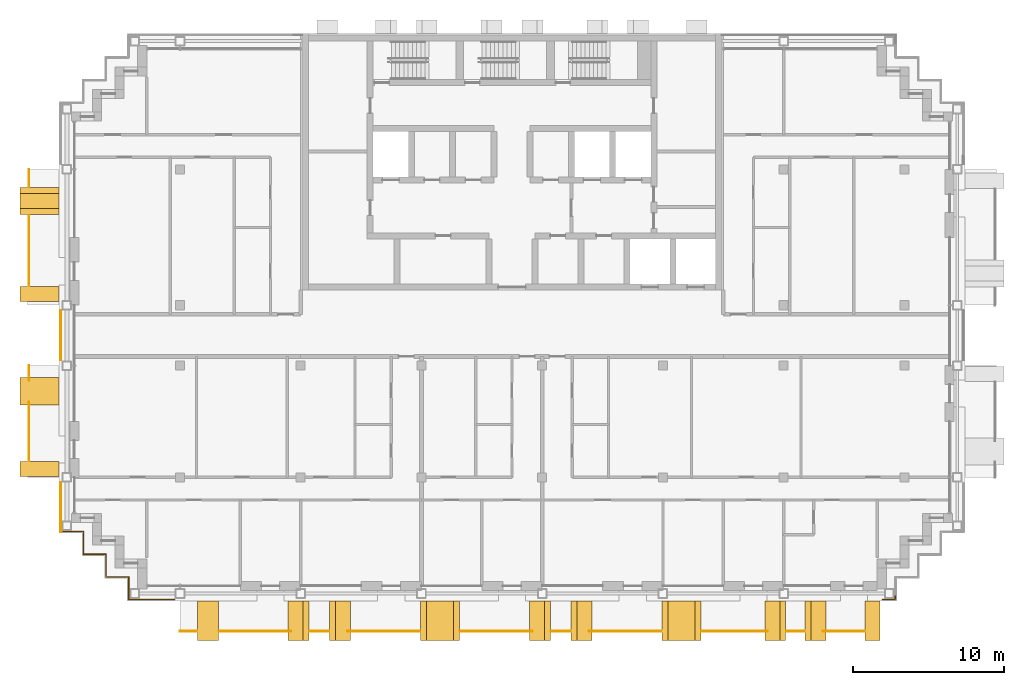
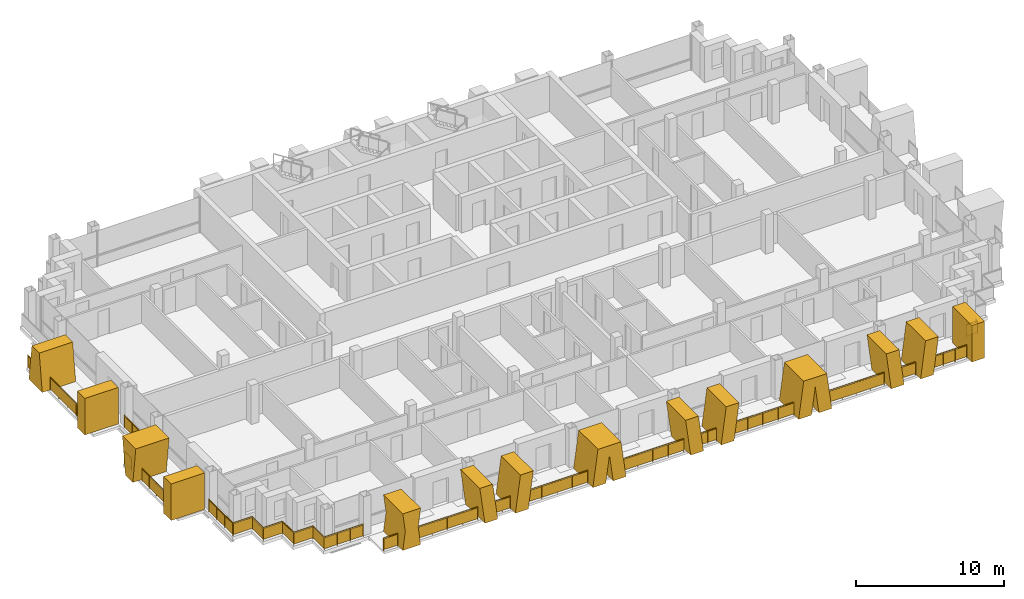
# One storey, part 13 of 16: 18 railings, 14 shading devices.
"""IFC4 building model written with IfcOpenShell, lengths in metres."""

from ifc_helpers import new_model, si_unit, direction, frame, origin, origin_2d, place, context, subcontext, project, spatial, polyline, rectangle, circle, outline, extrude, material, layer, layer_set, type_object, element, save


model = new_model("IFC4")

# Units and contexts
model_context = context("Model", 3, precision=1e-05, world=origin(), true_north=direction((0.0, 1.0)))
body_context = subcontext(model_context, "Body", "Model", "MODEL_VIEW")
ifc_project = project(units=[si_unit("LENGTHUNIT", "METRE"), si_unit("AREAUNIT", "SQUARE_METRE"), si_unit("VOLUMEUNIT", "CUBIC_METRE"), si_unit("PLANEANGLEUNIT", "RADIAN"), si_unit("MASSUNIT", "GRAM", prefix="KILO")], contexts=[model_context])

# Site, building, storey
site_placement = place(None, origin())
site = spatial("IfcSite", under=ifc_project, at=site_placement, CompositionType="ELEMENT")
building_placement = place(site_placement, origin())
building = spatial("IfcBuilding", under=site, at=building_placement, Name="Vidyagriha Tower", CompositionType="ELEMENT")
storey_placement = place(building_placement, frame((0.0, 0.0, 217.199951171875)))
storey = spatial("IfcBuildingStorey", under=building, at=storey_placement, Name="L56", CompositionType="ELEMENT", Elevation=217.199951171875)

# Railings
ifc_material_1 = material(Name="Steel ASTM A500 Grade C black painted", Category="steel")
railing_type_1 = type_object("IfcRailingType", Name="Balcony guard 1100", PredefinedType="BALUSTRADE", material=ifc_material_1)
railing_1_placement = place(storey_placement, frame((-32.0, 11.0, 0.0)))
element("IfcRailing", 1, at=railing_1_placement, inside=storey, type_object=railing_type_1, Name="Balcony guard L56 R16.1-1", PredefinedType="BALUSTRADE", context=body_context, shape_type="SweptSolid", body=[
    extrude(circle(Radius=0.02490234375, at=origin_2d()), frame((0.0, 0.0, 1.0751953125), z_axis=(0.0, -1.0, 0.0), x_axis=(1.0, 0.0, 0.0)), (0.0, 0.0, 1.0), 1.14990234375),
    extrude(circle(Radius=0.02001953125, at=origin_2d()), origin(), (0.0, 0.0, 1.0), 1.050048828125),
    extrude(circle(Radius=0.02001953125, at=origin_2d()), frame((0.0, -1.14990234375, 0.0)), (0.0, 0.0, 1.0), 1.050048828125),
    extrude(rectangle(XDim=0.010009765625, YDim=0.900146484375, at=origin_2d()), frame((0.0, 0.0, 0.550048828125), z_axis=(0.0, -1.0, 0.0), x_axis=(1.0, 0.0, 0.0)), (0.0, 0.0, 1.0), 1.14990234375),
])
railing_2_placement = place(storey_placement, frame((-32.0, 7.949951171875, 0.0)))
element("IfcRailing", 2, at=railing_2_placement, inside=storey, type_object=railing_type_1, Name="Balcony guard L56 R16.1-2", PredefinedType="BALUSTRADE", context=body_context, shape_type="SweptSolid", body=[
    extrude(circle(Radius=0.02490234375, at=origin_2d()), frame((0.0, 0.0, 1.0751953125), z_axis=(0.0, -1.0, 0.0), x_axis=(1.0, 0.0, 0.0)), (0.0, 0.0, 1.0), 4.64990234375),
    extrude(circle(Radius=0.02001953125, at=origin_2d()), origin(), (0.0, 0.0, 1.0), 1.050048828125),
    extrude(circle(Radius=0.02001953125, at=origin_2d()), frame((0.0, -1.16259765625, 0.0)), (0.0, 0.0, 1.0), 1.050048828125),
    extrude(circle(Radius=0.02001953125, at=origin_2d()), frame((0.0, -2.324951171875, 0.0)), (0.0, 0.0, 1.0), 1.050048828125),
    extrude(circle(Radius=0.02001953125, at=origin_2d()), frame((0.0, -3.4873046875, 0.0)), (0.0, 0.0, 1.0), 1.050048828125),
    extrude(circle(Radius=0.02001953125, at=origin_2d()), frame((0.0, -4.64990234375, 0.0)), (0.0, 0.0, 1.0), 1.050048828125),
    extrude(rectangle(XDim=0.010009765625, YDim=0.900146484375, at=origin_2d()), frame((0.0, 0.0, 0.550048828125), z_axis=(0.0, -1.0, 0.0), x_axis=(1.0, 0.0, 0.0)), (0.0, 0.0, 1.0), 4.64990234375),
])
railing_3_placement = place(storey_placement, frame((-32.0, -2.0, 0.0)))
element("IfcRailing", 3, at=railing_3_placement, inside=storey, type_object=railing_type_1, Name="Balcony guard L56 R16.2-1", PredefinedType="BALUSTRADE", context=body_context, shape_type="SweptSolid", body=[
    extrude(circle(Radius=0.02490234375, at=origin_2d()), frame((0.0, 0.0, 1.0751953125), z_axis=(0.0, -1.0, 0.0), x_axis=(1.0, 0.0, 0.0)), (0.0, 0.0, 1.0), 0.99658203125),
    extrude(circle(Radius=0.02001953125, at=origin_2d()), origin(), (0.0, 0.0, 1.0), 1.050048828125),
    extrude(circle(Radius=0.02001953125, at=origin_2d()), frame((0.0, -0.99658203125, 0.0)), (0.0, 0.0, 1.0), 1.050048828125),
    extrude(rectangle(XDim=0.010009765625, YDim=0.900146484375, at=origin_2d()), frame((0.0, 0.0, 0.550048828125), z_axis=(0.0, -1.0, 0.0), x_axis=(1.0, 0.0, 0.0)), (0.0, 0.0, 1.0), 0.99658203125),
])
railing_4_placement = place(storey_placement, frame((-32.0, -4.4033203125, 0.0)))
element("IfcRailing", 4, at=railing_4_placement, inside=storey, type_object=railing_type_1, Name="Balcony guard L56 R16.2-2", PredefinedType="BALUSTRADE", context=body_context, shape_type="SweptSolid", body=[
    extrude(circle(Radius=0.02490234375, at=origin_2d()), frame((0.0, 0.0, 1.0751953125), z_axis=(0.0, -1.0, 0.0), x_axis=(1.0, 0.0, 0.0)), (0.0, 0.0, 1.0), 3.896728515625),
    extrude(circle(Radius=0.02001953125, at=origin_2d()), origin(), (0.0, 0.0, 1.0), 1.050048828125),
    extrude(circle(Radius=0.02001953125, at=origin_2d()), frame((0.0, -0.97412109375, 0.0)), (0.0, 0.0, 1.0), 1.050048828125),
    extrude(circle(Radius=0.02001953125, at=origin_2d()), frame((0.0, -1.9482421875, 0.0)), (0.0, 0.0, 1.0), 1.050048828125),
    extrude(circle(Radius=0.02001953125, at=origin_2d()), frame((0.0, -2.922607421875, 0.0)), (0.0, 0.0, 1.0), 1.050048828125),
    extrude(circle(Radius=0.02001953125, at=origin_2d()), frame((0.0, -3.896728515625, 0.0)), (0.0, 0.0, 1.0), 1.050048828125),
    extrude(rectangle(XDim=0.010009765625, YDim=0.900146484375, at=origin_2d()), frame((0.0, 0.0, 0.550048828125), z_axis=(0.0, -1.0, 0.0), x_axis=(1.0, 0.0, 0.0)), (0.0, 0.0, 1.0), 3.896728515625),
])
railing_5_placement = place(storey_placement, frame((-22.0, -19.60009765625, 0.0)))
element("IfcRailing", 5, at=railing_5_placement, inside=storey, type_object=railing_type_1, Name="Balcony guard L56 R23.1-1", PredefinedType="BALUSTRADE", context=body_context, shape_type="SweptSolid", body=[
    extrude(circle(Radius=0.02490234375, at=origin_2d()), frame((0.0, 0.0, 1.0751953125), z_axis=(1.0, 0.0, 0.0), x_axis=(0.0, 1.0, 0.0)), (0.0, 0.0, 1.0), 1.107177734375),
    extrude(circle(Radius=0.02001953125, at=origin_2d()), origin(), (0.0, 0.0, 1.0), 1.050048828125),
    extrude(circle(Radius=0.02001953125, at=origin_2d()), frame((1.107177734375, 0.0, 0.0)), (0.0, 0.0, 1.0), 1.050048828125),
    extrude(rectangle(XDim=0.010009765625, YDim=0.900146484375, at=origin_2d()), frame((0.0, 0.0, 0.550048828125), z_axis=(1.0, 0.0, 0.0), x_axis=(0.0, 1.0, 0.0)), (0.0, 0.0, 1.0), 1.107177734375),
])
railing_6_placement = place(storey_placement, frame((-19.406982421875, -19.60009765625, 0.0)))
element("IfcRailing", 6, at=railing_6_placement, inside=storey, type_object=railing_type_1, Name="Balcony guard L56 R23.1-2", PredefinedType="BALUSTRADE", context=body_context, shape_type="SweptSolid", body=[
    extrude(circle(Radius=0.02490234375, at=origin_2d()), frame((0.0, 0.0, 1.0751953125), z_axis=(1.0, 0.0, 0.0), x_axis=(0.0, 1.0, 0.0)), (0.0, 0.0, 1.0), 4.74560546875),
    extrude(circle(Radius=0.02001953125, at=origin_2d()), origin(), (0.0, 0.0, 1.0), 1.050048828125),
    extrude(circle(Radius=0.02001953125, at=origin_2d()), frame((1.1865234375, 0.0, 0.0)), (0.0, 0.0, 1.0), 1.050048828125),
    extrude(circle(Radius=0.02001953125, at=origin_2d()), frame((2.372802734375, 0.0, 0.0)), (0.0, 0.0, 1.0), 1.050048828125),
    extrude(circle(Radius=0.02001953125, at=origin_2d()), frame((3.55908203125, 0.0, 0.0)), (0.0, 0.0, 1.0), 1.050048828125),
    extrude(circle(Radius=0.02001953125, at=origin_2d()), frame((4.74560546875, 0.0, 0.0)), (0.0, 0.0, 1.0), 1.050048828125),
    extrude(rectangle(XDim=0.010009765625, YDim=0.900146484375, at=origin_2d()), frame((0.0, 0.0, 0.550048828125), z_axis=(1.0, 0.0, 0.0), x_axis=(0.0, 1.0, 0.0)), (0.0, 0.0, 1.0), 4.74560546875),
])
railing_7_placement = place(storey_placement, frame((-13.409912109375, -19.60009765625, 0.0)))
element("IfcRailing", 7, at=railing_7_placement, inside=storey, type_object=railing_type_1, Name="Balcony guard L56 R23.1-3", PredefinedType="BALUSTRADE", context=body_context, shape_type="SweptSolid", body=[
    extrude(circle(Radius=0.02490234375, at=origin_2d()), frame((0.0, 0.0, 1.0751953125), z_axis=(1.0, 0.0, 0.0), x_axis=(0.0, 1.0, 0.0)), (0.0, 0.0, 1.0), 1.27001953125),
    extrude(circle(Radius=0.02001953125, at=origin_2d()), origin(), (0.0, 0.0, 1.0), 1.050048828125),
    extrude(circle(Radius=0.02001953125, at=origin_2d()), frame((0.635009765625, 0.0, 0.0)), (0.0, 0.0, 1.0), 1.050048828125),
    extrude(circle(Radius=0.02001953125, at=origin_2d()), frame((1.27001953125, 0.0, 0.0)), (0.0, 0.0, 1.0), 1.050048828125),
    extrude(rectangle(XDim=0.010009765625, YDim=0.900146484375, at=origin_2d()), frame((0.0, 0.0, 0.550048828125), z_axis=(1.0, 0.0, 0.0), x_axis=(0.0, 1.0, 0.0)), (0.0, 0.0, 1.0), 1.27001953125),
])
for number, where, name in (
    (8, (-10.888671875, -19.60009765625, 0.0), "Balcony guard L56 R23.1-4"),
    (9, (-3.43505859375, -19.60009765625, 0.0), "Balcony guard L56 R23.1-5"),
):
    element("IfcRailing", number, at=place(storey_placement, frame(where)), inside=storey, type_object=railing_type_1, Name=name, PredefinedType="BALUSTRADE", context=body_context, shape_type="SweptSolid", body=[
        extrude(circle(Radius=0.02490234375, at=origin_2d()), frame((0.0, 0.0, 1.0751953125), z_axis=(1.0, 0.0, 0.0), x_axis=(0.0, 1.0, 0.0)), (0.0, 0.0, 1.0), 4.773681640625),
        extrude(circle(Radius=0.02001953125, at=origin_2d()), origin(), (0.0, 0.0, 1.0), 1.050048828125),
        extrude(circle(Radius=0.02001953125, at=origin_2d()), frame((1.193359375, 0.0, 0.0)), (0.0, 0.0, 1.0), 1.050048828125),
        extrude(circle(Radius=0.02001953125, at=origin_2d()), frame((2.38671875, 0.0, 0.0)), (0.0, 0.0, 1.0), 1.050048828125),
        extrude(circle(Radius=0.02001953125, at=origin_2d()), frame((3.580322265625, 0.0, 0.0)), (0.0, 0.0, 1.0), 1.050048828125),
        extrude(circle(Radius=0.02001953125, at=origin_2d()), frame((4.773681640625, 0.0, 0.0)), (0.0, 0.0, 1.0), 1.050048828125),
        extrude(rectangle(XDim=0.010009765625, YDim=0.900146484375, at=origin_2d()), frame((0.0, 0.0, 0.550048828125), z_axis=(1.0, 0.0, 0.0), x_axis=(0.0, 1.0, 0.0)), (0.0, 0.0, 1.0), 4.773681640625),
    ])
railing_8_placement = place(storey_placement, frame((2.590087890625, -19.60009765625, 0.0)))
element("IfcRailing", 10, at=railing_8_placement, inside=storey, type_object=railing_type_1, Name="Balcony guard L56 R23.1-6", PredefinedType="BALUSTRADE", context=body_context, shape_type="SweptSolid", body=[
    extrude(circle(Radius=0.02490234375, at=origin_2d()), frame((0.0, 0.0, 1.0751953125), z_axis=(1.0, 0.0, 0.0), x_axis=(0.0, 1.0, 0.0)), (0.0, 0.0, 1.0), 1.27001953125),
    extrude(circle(Radius=0.02001953125, at=origin_2d()), origin(), (0.0, 0.0, 1.0), 1.050048828125),
    extrude(circle(Radius=0.02001953125, at=origin_2d()), frame((0.635009765625, 0.0, 0.0)), (0.0, 0.0, 1.0), 1.050048828125),
    extrude(circle(Radius=0.02001953125, at=origin_2d()), frame((1.27001953125, 0.0, 0.0)), (0.0, 0.0, 1.0), 1.050048828125),
    extrude(rectangle(XDim=0.010009765625, YDim=0.900146484375, at=origin_2d()), frame((0.0, 0.0, 0.550048828125), z_axis=(1.0, 0.0, 0.0), x_axis=(0.0, 1.0, 0.0)), (0.0, 0.0, 1.0), 1.27001953125),
])
railing_9_placement = place(storey_placement, frame((5.111328125, -19.60009765625, 0.0)))
element("IfcRailing", 11, at=railing_9_placement, inside=storey, type_object=railing_type_1, Name="Balcony guard L56 R23.1-7", PredefinedType="BALUSTRADE", context=body_context, shape_type="SweptSolid", body=[
    extrude(circle(Radius=0.02490234375, at=origin_2d()), frame((0.0, 0.0, 1.0751953125), z_axis=(1.0, 0.0, 0.0), x_axis=(0.0, 1.0, 0.0)), (0.0, 0.0, 1.0), 4.773681640625),
    extrude(circle(Radius=0.02001953125, at=origin_2d()), origin(), (0.0, 0.0, 1.0), 1.050048828125),
    extrude(circle(Radius=0.02001953125, at=origin_2d()), frame((1.193359375, 0.0, 0.0)), (0.0, 0.0, 1.0), 1.050048828125),
    extrude(circle(Radius=0.02001953125, at=origin_2d()), frame((2.38671875, 0.0, 0.0)), (0.0, 0.0, 1.0), 1.050048828125),
    extrude(circle(Radius=0.02001953125, at=origin_2d()), frame((3.580322265625, 0.0, 0.0)), (0.0, 0.0, 1.0), 1.050048828125),
    extrude(circle(Radius=0.02001953125, at=origin_2d()), frame((4.773681640625, 0.0, 0.0)), (0.0, 0.0, 1.0), 1.050048828125),
    extrude(rectangle(XDim=0.010009765625, YDim=0.900146484375, at=origin_2d()), frame((0.0, 0.0, 0.550048828125), z_axis=(1.0, 0.0, 0.0), x_axis=(0.0, 1.0, 0.0)), (0.0, 0.0, 1.0), 4.773681640625),
])
railing_10_placement = place(storey_placement, frame((12.56494140625, -19.60009765625, 0.0)))
element("IfcRailing", 12, at=railing_10_placement, inside=storey, type_object=railing_type_1, Name="Balcony guard L56 R23.1-8", PredefinedType="BALUSTRADE", context=body_context, shape_type="SweptSolid", body=[
    extrude(circle(Radius=0.02490234375, at=origin_2d()), frame((0.0, 0.0, 1.0751953125), z_axis=(1.0, 0.0, 0.0), x_axis=(0.0, 1.0, 0.0)), (0.0, 0.0, 1.0), 4.3701171875),
    extrude(circle(Radius=0.02001953125, at=origin_2d()), origin(), (0.0, 0.0, 1.0), 1.050048828125),
    extrude(circle(Radius=0.02001953125, at=origin_2d()), frame((1.092529296875, 0.0, 0.0)), (0.0, 0.0, 1.0), 1.050048828125),
    extrude(circle(Radius=0.02001953125, at=origin_2d()), frame((2.18505859375, 0.0, 0.0)), (0.0, 0.0, 1.0), 1.050048828125),
    extrude(circle(Radius=0.02001953125, at=origin_2d()), frame((3.277587890625, 0.0, 0.0)), (0.0, 0.0, 1.0), 1.050048828125),
    extrude(circle(Radius=0.02001953125, at=origin_2d()), frame((4.3701171875, 0.0, 0.0)), (0.0, 0.0, 1.0), 1.050048828125),
    extrude(rectangle(XDim=0.010009765625, YDim=0.900146484375, at=origin_2d()), frame((0.0, 0.0, 0.550048828125), z_axis=(1.0, 0.0, 0.0), x_axis=(0.0, 1.0, 0.0)), (0.0, 0.0, 1.0), 4.3701171875),
])
railing_11_placement = place(storey_placement, frame((18.181396484375, -19.60009765625, 0.0)))
element("IfcRailing", 13, at=railing_11_placement, inside=storey, type_object=railing_type_1, Name="Balcony guard L56 R23.1-9", PredefinedType="BALUSTRADE", context=body_context, shape_type="SweptSolid", body=[
    extrude(circle(Radius=0.02490234375, at=origin_2d()), frame((0.0, 0.0, 1.0751953125), z_axis=(1.0, 0.0, 0.0), x_axis=(0.0, 1.0, 0.0)), (0.0, 0.0, 1.0), 1.187255859375),
    extrude(circle(Radius=0.02001953125, at=origin_2d()), origin(), (0.0, 0.0, 1.0), 1.050048828125),
    extrude(circle(Radius=0.02001953125, at=origin_2d()), frame((1.187255859375, 0.0, 0.0)), (0.0, 0.0, 1.0), 1.050048828125),
    extrude(rectangle(XDim=0.010009765625, YDim=0.900146484375, at=origin_2d()), frame((0.0, 0.0, 0.550048828125), z_axis=(1.0, 0.0, 0.0), x_axis=(0.0, 1.0, 0.0)), (0.0, 0.0, 1.0), 1.187255859375),
])
railing_12_placement = place(storey_placement, frame((20.61474609375, -19.60009765625, 0.0)))
element("IfcRailing", 14, at=railing_12_placement, inside=storey, type_object=railing_type_1, Name="Balcony guard L56 R23.1-10", PredefinedType="BALUSTRADE", context=body_context, shape_type="SweptSolid", body=[
    extrude(circle(Radius=0.02490234375, at=origin_2d()), frame((0.0, 0.0, 1.0751953125), z_axis=(1.0, 0.0, 0.0), x_axis=(0.0, 1.0, 0.0)), (0.0, 0.0, 1.0), 2.7353515625),
    extrude(circle(Radius=0.02001953125, at=origin_2d()), origin(), (0.0, 0.0, 1.0), 1.050048828125),
    extrude(circle(Radius=0.02001953125, at=origin_2d()), frame((0.911865234375, 0.0, 0.0)), (0.0, 0.0, 1.0), 1.050048828125),
    extrude(circle(Radius=0.02001953125, at=origin_2d()), frame((1.823486328125, 0.0, 0.0)), (0.0, 0.0, 1.0), 1.050048828125),
    extrude(circle(Radius=0.02001953125, at=origin_2d()), frame((2.7353515625, 0.0, 0.0)), (0.0, 0.0, 1.0), 1.050048828125),
    extrude(rectangle(XDim=0.010009765625, YDim=0.900146484375, at=origin_2d()), frame((0.0, 0.0, 0.550048828125), z_axis=(1.0, 0.0, 0.0), x_axis=(0.0, 1.0, 0.0)), (0.0, 0.0, 1.0), 2.7353515625),
])

# Shading devices
ifc_material_2 = material(Name="Precast concrete C40/50 with buff brick facing", Category="concrete")
ifc_layer_1 = layer(ifc_material_2, 1.0)
ifc_layer_set_1 = layer_set([ifc_layer_1], Name="Precast concrete C40/50 with buff brick facing")
shading_device_type_1 = type_object("IfcShadingDeviceType", Name="Brick-faced blade fin arm leaning 8 degrees", PredefinedType="USERDEFINED", material=ifc_layer_set_1)
shading_device_1_placement = place(storey_placement, frame((-12.090087890625, -18.89990234375, 0.0)))
element("IfcShadingDevice", 15, at=shading_device_1_placement, inside=storey, type_object=shading_device_type_1, Name="Leaning blade fin L56 R23.1020a", ObjectType="BLADE FIN", PredefinedType="USERDEFINED", context=body_context, shape_type="SweptSolid", body=[
    extrude(outline(polyline([(0.0, 0.0), (1.0, 0.0), (1.39501953125, 3.0), (0.39501953125, 3.0), (0.0, 0.0)])), frame((0.0, 1.300048828125, 0.0), z_axis=(0.0, -1.0, 0.0), x_axis=(1.0, 0.0, 0.0)), (0.0, 0.0, 1.0), 2.60009765625),
])
shading_device_2_placement = place(storey_placement, frame((-14.85498046875, -18.89990234375, 0.0)))
element("IfcShadingDevice", 16, at=shading_device_2_placement, inside=storey, type_object=shading_device_type_1, Name="Leaning blade fin L56 R23.1020b", ObjectType="BLADE FIN", PredefinedType="USERDEFINED", context=body_context, shape_type="SweptSolid", body=[
    extrude(outline(polyline([(0.39501953125, 0.0), (1.39501953125, 0.0), (1.0, 3.0), (0.0, 3.0), (0.39501953125, 0.0)])), frame((0.0, 1.300048828125, 0.0), z_axis=(0.0, -1.0, 0.0), x_axis=(1.0, 0.0, 0.0)), (0.0, 0.0, 1.0), 2.60009765625),
])
shading_device_3_placement = place(storey_placement, frame((3.909912109375, -18.89990234375, 0.0)))
element("IfcShadingDevice", 17, at=shading_device_3_placement, inside=storey, type_object=shading_device_type_1, Name="Leaning blade fin L56 R23.2620a", ObjectType="BLADE FIN", PredefinedType="USERDEFINED", context=body_context, shape_type="SweptSolid", body=[
    extrude(outline(polyline([(0.0, 0.0), (1.0, 0.0), (1.39501953125, 3.0), (0.39501953125, 3.0), (0.0, 0.0)])), frame((0.0, 1.300048828125, 0.0), z_axis=(0.0, -1.0, 0.0), x_axis=(1.0, 0.0, 0.0)), (0.0, 0.0, 1.0), 2.60009765625),
])
shading_device_4_placement = place(storey_placement, frame((1.14501953125, -18.89990234375, 0.0)))
element("IfcShadingDevice", 18, at=shading_device_4_placement, inside=storey, type_object=shading_device_type_1, Name="Leaning blade fin L56 R23.2620b", ObjectType="BLADE FIN", PredefinedType="USERDEFINED", context=body_context, shape_type="SweptSolid", body=[
    extrude(outline(polyline([(0.39501953125, 0.0), (1.39501953125, 0.0), (1.0, 3.0), (0.0, 3.0), (0.39501953125, 0.0)])), frame((0.0, 1.300048828125, 0.0), z_axis=(0.0, -1.0, 0.0), x_axis=(1.0, 0.0, 0.0)), (0.0, 0.0, 1.0), 2.60009765625),
])
shading_device_5_placement = place(storey_placement, frame((19.418701171875, -18.89990234375, 0.0)))
element("IfcShadingDevice", 19, at=shading_device_5_placement, inside=storey, type_object=shading_device_type_1, Name="Leaning blade fin L56 R23.4220a", ObjectType="BLADE FIN", PredefinedType="USERDEFINED", context=body_context, shape_type="SweptSolid", body=[
    extrude(outline(polyline([(0.0, 0.0), (1.0, 0.0), (1.38134765625, 3.0), (0.38134765625, 3.0), (0.0, 0.0)])), frame((0.0, 1.300048828125, 0.0), z_axis=(0.0, -1.0, 0.0), x_axis=(1.0, 0.0, 0.0)), (0.0, 0.0, 1.0), 2.60009765625),
])
shading_device_6_placement = place(storey_placement, frame((16.75, -18.89990234375, 0.0)))
element("IfcShadingDevice", 20, at=shading_device_6_placement, inside=storey, type_object=shading_device_type_1, Name="Leaning blade fin L56 R23.4220b", ObjectType="BLADE FIN", PredefinedType="USERDEFINED", context=body_context, shape_type="SweptSolid", body=[
    extrude(outline(polyline([(0.38134765625, 0.0), (1.38134765625, 0.0), (1.0, 3.0), (0.0, 3.0), (0.38134765625, 0.0)])), frame((0.0, 1.300048828125, 0.0), z_axis=(0.0, -1.0, 0.0), x_axis=(1.0, 0.0, 0.0)), (0.0, 0.0, 1.0), 2.60009765625),
])
ifc_material_3 = material(Name="Precast concrete C40/50 with buff brick facing", Category="concrete")
ifc_layer_2 = layer(ifc_material_3, 1.0)
ifc_layer_set_2 = layer_set([ifc_layer_2], Name="Precast concrete C40/50 with buff brick facing")
shading_device_type_2 = type_object("IfcShadingDeviceType", Name="Brick-faced blade fin forking 8 degrees", PredefinedType="USERDEFINED", material=ifc_layer_set_2)
shading_device_7_placement = place(storey_placement, frame((-31.300048828125, 9.800048828125, 0.0), z_axis=(0.0, 0.0, 1.0), x_axis=(0.0, -1.0, 0.0)))
element("IfcShadingDevice", 21, at=shading_device_7_placement, inside=storey, type_object=shading_device_type_2, Name="Forked blade fin L56 R16.320a", ObjectType="BLADE FIN", PredefinedType="USERDEFINED", context=body_context, shape_type="SweptSolid", body=[
    extrude(outline(polyline([(0.0, 0.0), (1.800048828125, 0.0), (1.39990234375, 3.0), (0.39990234375, 3.0), (0.0, 0.0)])), frame((0.0, 1.300048828125, 0.0), z_axis=(0.0, -1.0, 0.0), x_axis=(1.0, 0.0, 0.0)), (0.0, 0.0, 1.0), 2.60009765625),
])
shading_device_8_placement = place(storey_placement, frame((-31.300048828125, -2.800048828125, 0.0), z_axis=(0.0, 0.0, 1.0), x_axis=(0.0, -1.0, 0.0)))
element("IfcShadingDevice", 22, at=shading_device_8_placement, inside=storey, type_object=shading_device_type_2, Name="Forked blade fin L56 R16.1620a", ObjectType="BLADE FIN", PredefinedType="USERDEFINED", context=body_context, shape_type="SweptSolid", body=[
    extrude(outline(polyline([(0.39990234375, 0.0), (1.39990234375, 0.0), (1.800048828125, 3.0), (0.0, 3.0), (0.39990234375, 0.0)])), frame((0.0, 1.300048828125, 0.0), z_axis=(0.0, -1.0, 0.0), x_axis=(1.0, 0.0, 0.0)), (0.0, 0.0, 1.0), 2.60009765625),
])
shading_device_9_placement = place(storey_placement, frame((-20.843017578125, -18.89990234375, 0.0)))
element("IfcShadingDevice", 23, at=shading_device_9_placement, inside=storey, type_object=shading_device_type_2, Name="Forked blade fin L56 R23.220a", ObjectType="BLADE FIN", PredefinedType="USERDEFINED", context=body_context, shape_type="SweptSolid", body=[
    extrude(outline(polyline([(0.0, 0.0), (1.3857421875, 0.0), (1.19287109375, 1.5), (1.3857421875, 3.0), (0.0, 3.0), (0.19287109375, 1.5), (0.0, 0.0)])), frame((0.0, 1.300048828125, 0.0), z_axis=(0.0, -1.0, 0.0), x_axis=(1.0, 0.0, 0.0)), (0.0, 0.0, 1.0), 2.60009765625),
])
for number, where, name in (
    (24, (-6.06494140625, -18.89990234375, 0.0), "Forked blade fin L56 R23.1820a"),
    (25, (9.93505859375, -18.89990234375, 0.0), "Forked blade fin L56 R23.3420a"),
):
    element("IfcShadingDevice", number, at=place(storey_placement, frame(where)), inside=storey, type_object=shading_device_type_2, Name=name, ObjectType="BLADE FIN", PredefinedType="USERDEFINED", context=body_context, shape_type="SweptSolid", body=[
        extrude(outline(polyline([(1.0, 0.0), (1.2900390625, 2.20263671875), (1.580078125, 0.0), (2.580078125, 0.0), (2.18505859375, 3.0), (0.39501953125, 3.0), (0.0, 0.0), (1.0, 0.0)])), frame((0.0, 1.300048828125, 0.0), z_axis=(0.0, -1.0, 0.0), x_axis=(1.0, 0.0, 0.0)), (0.0, 0.0, 1.0), 2.60009765625),
    ])
ifc_material_4 = material(Name="Precast concrete C40/50 with buff brick facing", Category="concrete")
ifc_layer_3 = layer(ifc_material_4, 1.0)
ifc_layer_set_3 = layer_set([ifc_layer_3], Name="Precast concrete C40/50 with buff brick facing")
shading_device_type_3 = type_object("IfcShadingDeviceType", Name="Brick-faced blade fin stem 1000", PredefinedType="USERDEFINED", material=ifc_layer_set_3)
for number, where, z_axis, x_axis, name in (
    (26, (-31.300048828125, 3.25, 0.0), (0.0, 0.0, 1.0), (0.0, -1.0, 0.0), "Stem blade fin L56 R16.1220a"),
    (27, (-31.300048828125, -8.35009765625, 0.0), (0.0, 0.0, 1.0), (0.0, -1.0, 0.0), "Stem blade fin L56 R16.2360a"),
):
    element("IfcShadingDevice", number, at=place(storey_placement, frame(where, z_axis=z_axis, x_axis=x_axis)), inside=storey, type_object=shading_device_type_3, Name=name, ObjectType="BLADE FIN", PredefinedType="USERDEFINED", context=body_context, shape_type="SweptSolid", body=[
        extrude(outline(polyline([(0.0, 0.0), (1.0, 0.0), (1.0, 3.0), (0.0, 3.0), (0.0, 0.0)])), frame((0.0, 1.300048828125, 0.0), z_axis=(0.0, -1.0, 0.0), x_axis=(1.0, 0.0, 0.0)), (0.0, 0.0, 1.0), 2.60009765625),
    ])
shading_device_10_placement = place(storey_placement, frame((23.39990234375, -18.89990234375, 0.0)))
element("IfcShadingDevice", 28, at=shading_device_10_placement, inside=storey, type_object=shading_device_type_3, Name="Stem blade fin L56 R23.4840a", ObjectType="BLADE FIN", PredefinedType="USERDEFINED", context=body_context, shape_type="SweptSolid", body=[
    extrude(outline(polyline([(0.0, 0.0), (1.0, 0.0), (1.0, 3.0), (0.0, 3.0), (0.0, 0.0)])), frame((0.0, 1.300048828125, 0.0), z_axis=(0.0, -1.0, 0.0), x_axis=(1.0, 0.0, 0.0)), (0.0, 0.0, 1.0), 2.60009765625),
])

# Railings
ifc_material_5 = material(Name="Steel ASTM A500 Grade C black painted", Category="steel")
railing_type_2 = type_object("IfcRailingType", Name="Gallery guard 1100", PredefinedType="GUARDRAIL", material=ifc_material_5)
railing_13_placement = place(storey_placement, frame((-22.360107421875, -17.5, 0.0)))
element("IfcRailing", 29, at=railing_13_placement, inside=storey, type_object=railing_type_2, Name="Gallery guard L56 1", PredefinedType="GUARDRAIL", context=body_context, shape_type="SweptSolid", body=[
    extrude(circle(Radius=0.02490234375, at=origin_2d()), frame((0.0, 0.0, 1.0751953125), z_axis=(-1.0, 0.0, 0.0), x_axis=(0.0, -1.0, 0.0)), (0.0, 0.0, 1.0), 3.039794921875),
    extrude(circle(Radius=0.02490234375, at=origin_2d()), frame((-3.039794921875, 0.0, 1.0751953125), z_axis=(0.0, 1.0, 0.0), x_axis=(-1.0, 0.0, 0.0)), (0.0, 0.0, 1.0), 1.5),
    extrude(circle(Radius=0.02490234375, at=origin_2d()), frame((-3.039794921875, 1.5, 1.0751953125), z_axis=(-1.0, 0.0, 0.0), x_axis=(0.0, -1.0, 0.0)), (0.0, 0.0, 1.0), 1.5),
    extrude(circle(Radius=0.02490234375, at=origin_2d()), frame((-4.539794921875, 1.5, 1.0751953125), z_axis=(0.0, 1.0, 0.0), x_axis=(-1.0, 0.0, 0.0)), (0.0, 0.0, 1.0), 1.5),
    extrude(circle(Radius=0.02490234375, at=origin_2d()), frame((-4.539794921875, 3.0, 1.0751953125), z_axis=(-1.0, 0.0, 0.0), x_axis=(0.0, -1.0, 0.0)), (0.0, 0.0, 1.0), 1.5),
    extrude(circle(Radius=0.02490234375, at=origin_2d()), frame((-6.039794921875, 3.0, 1.0751953125), z_axis=(0.0, 1.0, 0.0), x_axis=(-1.0, 0.0, 0.0)), (0.0, 0.0, 1.0), 1.5),
    extrude(circle(Radius=0.02490234375, at=origin_2d()), frame((-6.039794921875, 4.5, 1.0751953125), z_axis=(-1.0, 0.0, 0.0), x_axis=(0.0, -1.0, 0.0)), (0.0, 0.0, 1.0), 1.460205078125),
    extrude(circle(Radius=0.02001953125, at=origin_2d()), origin(), (0.0, 0.0, 1.0), 1.050048828125),
    extrude(circle(Radius=0.02001953125, at=origin_2d()), frame((-1.01318359375, 0.0, 0.0)), (0.0, 0.0, 1.0), 1.050048828125),
    extrude(circle(Radius=0.02001953125, at=origin_2d()), frame((-2.026611328125, 0.0, 0.0)), (0.0, 0.0, 1.0), 1.050048828125),
    extrude(circle(Radius=0.02001953125, at=origin_2d()), frame((-3.039794921875, 0.0, 0.0)), (0.0, 0.0, 1.0), 1.050048828125),
    extrude(circle(Radius=0.02001953125, at=origin_2d()), frame((-3.039794921875, 1.5, 0.0)), (0.0, 0.0, 1.0), 1.050048828125),
    extrude(circle(Radius=0.02001953125, at=origin_2d()), frame((-4.539794921875, 1.5, 0.0)), (0.0, 0.0, 1.0), 1.050048828125),
    extrude(circle(Radius=0.02001953125, at=origin_2d()), frame((-4.539794921875, 3.0, 0.0)), (0.0, 0.0, 1.0), 1.050048828125),
    extrude(circle(Radius=0.02001953125, at=origin_2d()), frame((-6.039794921875, 3.0, 0.0)), (0.0, 0.0, 1.0), 1.050048828125),
    extrude(circle(Radius=0.02001953125, at=origin_2d()), frame((-6.039794921875, 4.5, 0.0)), (0.0, 0.0, 1.0), 1.050048828125),
    extrude(circle(Radius=0.02001953125, at=origin_2d()), frame((-7.5, 4.5, 0.0)), (0.0, 0.0, 1.0), 1.050048828125),
    extrude(rectangle(XDim=0.010009765625, YDim=0.900146484375, at=origin_2d()), frame((0.0, 0.0, 0.550048828125), z_axis=(-1.0, 0.0, 0.0), x_axis=(0.0, -1.0, 0.0)), (0.0, 0.0, 1.0), 3.039794921875),
    extrude(rectangle(XDim=0.010009765625, YDim=0.900146484375, at=origin_2d()), frame((-3.039794921875, 0.0, 0.550048828125), z_axis=(0.0, 1.0, 0.0), x_axis=(-1.0, 0.0, 0.0)), (0.0, 0.0, 1.0), 1.5),
    extrude(rectangle(XDim=0.010009765625, YDim=0.900146484375, at=origin_2d()), frame((-3.039794921875, 1.5, 0.550048828125), z_axis=(-1.0, 0.0, 0.0), x_axis=(0.0, -1.0, 0.0)), (0.0, 0.0, 1.0), 1.5),
    extrude(rectangle(XDim=0.010009765625, YDim=0.900146484375, at=origin_2d()), frame((-4.539794921875, 1.5, 0.550048828125), z_axis=(0.0, 1.0, 0.0), x_axis=(-1.0, 0.0, 0.0)), (0.0, 0.0, 1.0), 1.5),
    extrude(rectangle(XDim=0.010009765625, YDim=0.900146484375, at=origin_2d()), frame((-4.539794921875, 3.0, 0.550048828125), z_axis=(-1.0, 0.0, 0.0), x_axis=(0.0, -1.0, 0.0)), (0.0, 0.0, 1.0), 1.5),
    extrude(rectangle(XDim=0.010009765625, YDim=0.900146484375, at=origin_2d()), frame((-6.039794921875, 3.0, 0.550048828125), z_axis=(0.0, 1.0, 0.0), x_axis=(-1.0, 0.0, 0.0)), (0.0, 0.0, 1.0), 1.5),
    extrude(rectangle(XDim=0.010009765625, YDim=0.900146484375, at=origin_2d()), frame((-6.039794921875, 4.5, 0.550048828125), z_axis=(-1.0, 0.0, 0.0), x_axis=(0.0, -1.0, 0.0)), (0.0, 0.0, 1.0), 1.460205078125),
])
railing_14_placement = place(storey_placement, frame((-29.860107421875, -13.0, 0.0)))
element("IfcRailing", 30, at=railing_14_placement, inside=storey, type_object=railing_type_2, Name="Gallery guard L56 2", PredefinedType="GUARDRAIL", context=body_context, shape_type="SweptSolid", body=[
    extrude(circle(Radius=0.02490234375, at=origin_2d()), frame((0.0, 0.0, 1.0751953125), z_axis=(-1.0, 0.0, 0.0), x_axis=(0.0, -1.0, 0.0)), (0.0, 0.0, 1.0), 0.039794921875),
    extrude(circle(Radius=0.02490234375, at=origin_2d()), frame((-0.039794921875, 0.0, 1.0751953125), z_axis=(0.0, 1.0, 0.0), x_axis=(-1.0, 0.0, 0.0)), (0.0, 0.0, 1.0), 3.239990234375),
    extrude(circle(Radius=0.02001953125, at=origin_2d()), origin(), (0.0, 0.0, 1.0), 1.050048828125),
    extrude(circle(Radius=0.02001953125, at=origin_2d()), frame((-0.039794921875, 0.0, 0.0)), (0.0, 0.0, 1.0), 1.050048828125),
    extrude(circle(Radius=0.02001953125, at=origin_2d()), frame((-0.039794921875, 1.080078125, 0.0)), (0.0, 0.0, 1.0), 1.050048828125),
    extrude(circle(Radius=0.02001953125, at=origin_2d()), frame((-0.039794921875, 2.159912109375, 0.0)), (0.0, 0.0, 1.0), 1.050048828125),
    extrude(circle(Radius=0.02001953125, at=origin_2d()), frame((-0.039794921875, 3.239990234375, 0.0)), (0.0, 0.0, 1.0), 1.050048828125),
    extrude(rectangle(XDim=0.010009765625, YDim=0.900146484375, at=origin_2d()), frame((0.0, 0.0, 0.550048828125), z_axis=(-1.0, 0.0, 0.0), x_axis=(0.0, -1.0, 0.0)), (0.0, 0.0, 1.0), 0.039794921875),
    extrude(rectangle(XDim=0.010009765625, YDim=0.900146484375, at=origin_2d()), frame((-0.039794921875, 0.0, 0.550048828125), z_axis=(0.0, 1.0, 0.0), x_axis=(-1.0, 0.0, 0.0)), (0.0, 0.0, 1.0), 3.239990234375),
])
railing_15_placement = place(storey_placement, frame((-29.89990234375, -1.639892578125, 0.0)))
element("IfcRailing", 31, at=railing_15_placement, inside=storey, type_object=railing_type_2, Name="Gallery guard L56 3", PredefinedType="GUARDRAIL", context=body_context, shape_type="SweptSolid", body=[
    extrude(circle(Radius=0.02490234375, at=origin_2d()), frame((0.0, 0.0, 1.0751953125), z_axis=(0.0, 1.0, 0.0), x_axis=(-1.0, 0.0, 0.0)), (0.0, 0.0, 1.0), 3.27978515625),
    extrude(circle(Radius=0.02001953125, at=origin_2d()), origin(), (0.0, 0.0, 1.0), 1.050048828125),
    extrude(circle(Radius=0.02001953125, at=origin_2d()), frame((0.0, 1.09326171875, 0.0)), (0.0, 0.0, 1.0), 1.050048828125),
    extrude(circle(Radius=0.02001953125, at=origin_2d()), frame((0.0, 2.1865234375, 0.0)), (0.0, 0.0, 1.0), 1.050048828125),
    extrude(circle(Radius=0.02001953125, at=origin_2d()), frame((0.0, 3.27978515625, 0.0)), (0.0, 0.0, 1.0), 1.050048828125),
    extrude(rectangle(XDim=0.010009765625, YDim=0.900146484375, at=origin_2d()), frame((0.0, 0.0, 0.550048828125), z_axis=(0.0, 1.0, 0.0), x_axis=(-1.0, 0.0, 0.0)), (0.0, 0.0, 1.0), 3.27978515625),
])
railing_16_placement = place(storey_placement, frame((25.39990234375, -17.260009765625, 0.0)))
element("IfcRailing", 32, at=railing_16_placement, inside=storey, type_object=railing_type_2, Name="Gallery guard L56 11", PredefinedType="GUARDRAIL", context=body_context, shape_type="SweptSolid", body=[
    extrude(circle(Radius=0.02490234375, at=origin_2d()), frame((0.0, 0.0, 1.0751953125), z_axis=(0.0, -1.0, 0.0), x_axis=(1.0, 0.0, 0.0)), (0.0, 0.0, 1.0), 0.239990234375),
    extrude(circle(Radius=0.02490234375, at=origin_2d()), frame((0.0, -0.239990234375, 1.0751953125), z_axis=(-1.0, 0.0, 0.0), x_axis=(0.0, -1.0, 0.0)), (0.0, 0.0, 1.0), 0.83984375),
    extrude(circle(Radius=0.02001953125, at=origin_2d()), origin(), (0.0, 0.0, 1.0), 1.050048828125),
    extrude(circle(Radius=0.02001953125, at=origin_2d()), frame((0.0, -0.239990234375, 0.0)), (0.0, 0.0, 1.0), 1.050048828125),
    extrude(circle(Radius=0.02001953125, at=origin_2d()), frame((-0.83984375, -0.239990234375, 0.0)), (0.0, 0.0, 1.0), 1.050048828125),
    extrude(rectangle(XDim=0.010009765625, YDim=0.900146484375, at=origin_2d()), frame((0.0, 0.0, 0.550048828125), z_axis=(0.0, -1.0, 0.0), x_axis=(1.0, 0.0, 0.0)), (0.0, 0.0, 1.0), 0.239990234375),
    extrude(rectangle(XDim=0.010009765625, YDim=0.900146484375, at=origin_2d()), frame((0.0, -0.239990234375, 0.550048828125), z_axis=(-1.0, 0.0, 0.0), x_axis=(0.0, -1.0, 0.0)), (0.0, 0.0, 1.0), 0.83984375),
])

save(model, "model.ifc")
